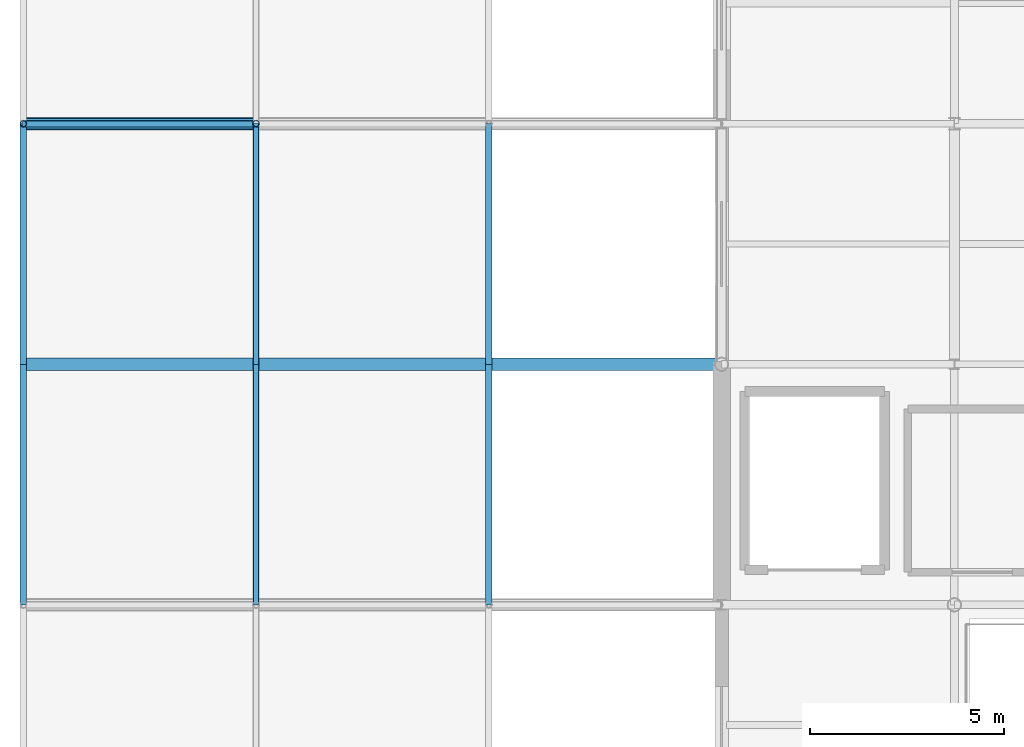
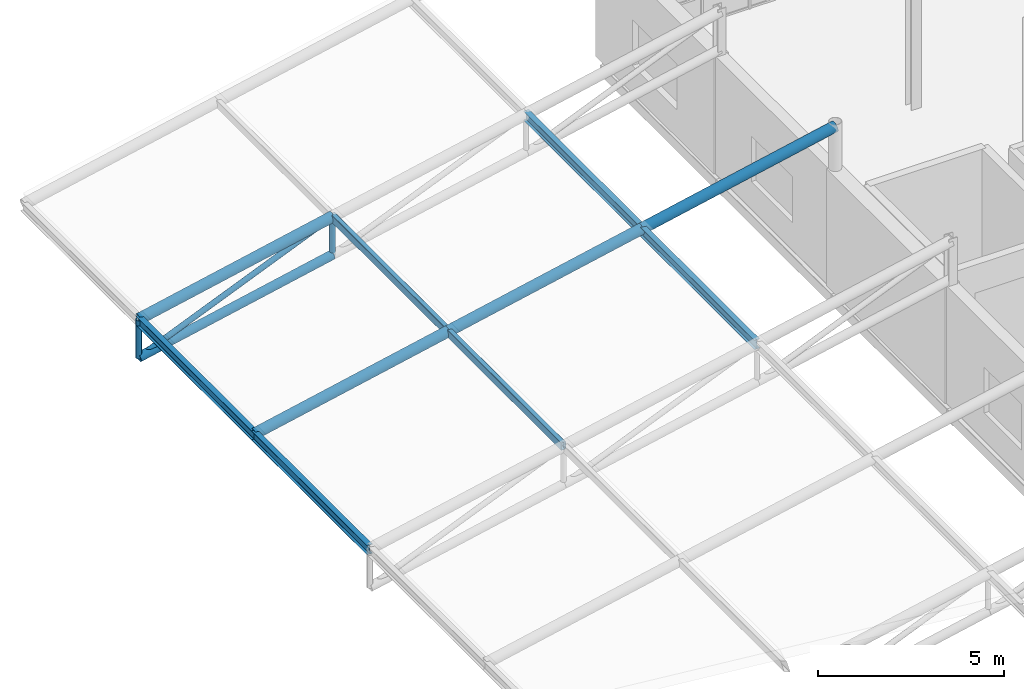
# One storey, part 27 of 84: 14 members.
"""IFC4 building model written with IfcOpenShell, lengths in metres."""

from ifc_helpers import new_model, si_unit, direction, frame, origin, origin_2d, place, context, subcontext, project, spatial, hollow_rectangle, hollow_circle, i_section, extrude, material, material_profile, profile_set, type_object, element, save


model = new_model("IFC4")

# Units and contexts
model_context = context("Model", 3, precision=1e-05, world=origin(), true_north=direction((0.0, 1.0)))
body_context = subcontext(model_context, "Body", "Model", "MODEL_VIEW")
ifc_project = project(units=[si_unit("LENGTHUNIT", "METRE"), si_unit("AREAUNIT", "SQUARE_METRE"), si_unit("VOLUMEUNIT", "CUBIC_METRE"), si_unit("PLANEANGLEUNIT", "RADIAN"), si_unit("MASSUNIT", "GRAM", prefix="KILO")], contexts=[model_context])

# Site, building, storey
site_placement = place(None, origin())
site = spatial("IfcSite", under=ifc_project, at=site_placement, CompositionType="ELEMENT")
building_placement = place(site_placement, origin())
building = spatial("IfcBuilding", under=site, at=building_placement, Name="Mirzam Square Science Centre", CompositionType="ELEMENT")
storey_placement = place(building_placement, frame((0.0, 0.0, 10.800048828125)))
storey = spatial("IfcBuildingStorey", under=building, at=storey_placement, Name="L02", CompositionType="ELEMENT", Elevation=10.800048828125)

# Members
ifc_material = material(Name="Steel S355", Category="steel")
ifc_material_profile_1 = material_profile(ifc_material, hollow_circle(Radius=0.084228515625, WallThickness=0.008056640625, at=origin_2d()), Name="168.3x8.0CHS")
ifc_profile_set_1 = profile_set([ifc_material_profile_1], Name="Steel S355")
member_type_1 = type_object("IfcMemberType", Name="BR-CHS168", PredefinedType="BRACE", material=ifc_profile_set_1)
member_1_placement = place(storey_placement, frame((0.0, 74.39990234375, 0.174560546875), z_axis=(0.922529582988, 0.0, 0.385926377063), x_axis=(0.0, 1.0, 0.0)))
element("IfcMember", 1, at=member_1_placement, inside=storey, type_object=member_type_1, Name="Wedge truss web diagonal Y13 bay 1", PredefinedType="BRACE", context=body_context, shape_type="SweptSolid", body=[
    extrude(hollow_circle(Radius=0.084228515625, WallThickness=0.008056640625, at=origin_2d()), origin(), (0.0, 0.0, 1.0), 6.50390625),
])
for number, where, z_axis, x_axis, name in (
    (2, (0.0, 74.39990234375, 0.174560546875), (0.0, 0.0, 1.0), (1.0, 0.0, 0.0), "Wedge truss post Y13 bay 1"),
    (3, (6.0, 74.39990234375, 1.4345703125), (0.0, 0.0, 1.0), (1.0, 0.0, 0.0), "Wedge truss post Y13 bay 2"),
):
    element("IfcMember", number, at=place(storey_placement, frame(where, z_axis=z_axis, x_axis=x_axis)), inside=storey, type_object=member_type_1, Name=name, PredefinedType="BRACE", context=body_context, shape_type="SweptSolid", body=[
        extrude(hollow_circle(Radius=0.084228515625, WallThickness=0.008056640625, at=origin_2d()), origin(), (0.0, 0.0, 1.0), 1.25),
    ])
ifc_material_profile_2 = material_profile(ifc_material, hollow_circle(Radius=0.136474609375, WallThickness=0.010009765625, at=origin_2d()), Name="273.0x10.0CHS")
ifc_profile_set_2 = profile_set([ifc_material_profile_2], Name="Steel S355")
member_type_2 = type_object("IfcMemberType", Name="CH-CHS273", PredefinedType="CHORD", material=ifc_profile_set_2)
member_2_placement = place(storey_placement, frame((0.0, 74.39990234375, 0.174560546875), z_axis=(0.978653176229, 0.0, 0.205518759868), x_axis=(0.0, 1.0, 0.0)))
element("IfcMember", 4, at=member_2_placement, inside=storey, type_object=member_type_2, Name="Wedge truss bottom chord Y13 bay 1", PredefinedType="CHORD", context=body_context, shape_type="SweptSolid", body=[
    extrude(hollow_circle(Radius=0.136474609375, WallThickness=0.010009765625, at=origin_2d()), origin(), (0.0, 0.0, 1.0), 6.130859375),
])
ifc_material_profile_3 = material_profile(ifc_material, hollow_circle(Radius=0.161865234375, WallThickness=0.012451171875, at=origin_2d()), Name="323.9x12.5CHS")
ifc_profile_set_3 = profile_set([ifc_material_profile_3], Name="Steel S355")
member_type_3 = type_object("IfcMemberType", Name="CH-CHS324", PredefinedType="CHORD", material=ifc_profile_set_3)
for number, where, z_axis, x_axis, name in (
    (5, (0.0, 68.199951171875, 1.424560546875), (0.978653176229, 0.0, 0.205518759868), (0.0, 1.0, 0.0), "Wedge truss top chord Y12 bay 1"),
    (6, (6.0, 68.199951171875, 2.6845703125), (0.978661184912, 0.0, 0.205480619879), (0.0, 1.0, 0.0), "Wedge truss top chord Y12 bay 2"),
    (7, (12.0, 68.199951171875, 3.9443359375), (0.978653176229, 0.0, 0.205518759868), (0.0, 1.0, 0.0), "Wedge truss top chord Y12 bay 3"),
    (8, (0.0, 74.39990234375, 1.424560546875), (0.978653176229, 0.0, 0.205518759868), (0.0, 1.0, 0.0), "Wedge truss top chord Y13 bay 1"),
):
    element("IfcMember", number, at=place(storey_placement, frame(where, z_axis=z_axis, x_axis=x_axis)), inside=storey, type_object=member_type_3, Name=name, PredefinedType="CHORD", context=body_context, shape_type="SweptSolid", body=[
        extrude(hollow_circle(Radius=0.161865234375, WallThickness=0.012451171875, at=origin_2d()), origin(), (0.0, 0.0, 1.0), 6.130859375),
    ])
ifc_material_profile_4 = material_profile(ifc_material, hollow_rectangle(XDim=0.14990234375, YDim=0.25, WallThickness=0.010009765625, InnerFilletRadius=0.010009765625, OuterFilletRadius=0.02001953125, at=origin_2d()), Name="250x150x10.0RHS")
ifc_profile_set_4 = profile_set([ifc_material_profile_4], Name="Steel S355")
member_type_4 = type_object("IfcMemberType", Name="RF-RHS250", PredefinedType="RAFTER", material=ifc_profile_set_4)
for number, where, z_axis, x_axis, name in (
    (9, (6.0, 62.0, 2.687255859375), (0.0, 1.0, 0.0), (-1.0, 0.0, 0.0), "Wedge roof rafter X2-11"),
    (10, (6.0, 68.199951171875, 2.687255859375), (0.0, 1.0, 0.0), (-1.0, 0.0, 0.0), "Wedge roof rafter X2-12"),
):
    element("IfcMember", number, at=place(storey_placement, frame(where, z_axis=z_axis, x_axis=x_axis)), inside=storey, type_object=member_type_4, Name=name, PredefinedType="RAFTER", context=body_context, shape_type="SweptSolid", body=[
        extrude(hollow_rectangle(XDim=0.14990234375, YDim=0.25, WallThickness=0.010009765625, InnerFilletRadius=0.010009765625, OuterFilletRadius=0.02001953125, at=origin_2d()), origin(), (0.0, 0.0, 1.0), 6.199951171875),
    ])
ifc_material_profile_5 = material_profile(ifc_material, i_section(OverallWidth=0.165771484375, OverallDepth=0.306640625, WebThickness=0.006591796875, FlangeThickness=0.01171875, FilletRadius=0.0087890625, at=origin_2d()), Name="305x165x46UB")
ifc_profile_set_5 = profile_set([ifc_material_profile_5], Name="Steel S355")
member_type_5 = type_object("IfcMemberType", Name="RF-UB305", PredefinedType="RAFTER", material=ifc_profile_set_5)
for number, where, z_axis, x_axis, name in (
    (11, (0.0, 62.0, 1.3984375), (0.0, 1.0, 0.0), (-1.0, 0.0, 0.0), "Wedge roof rafter X1-11"),
    (12, (12.0, 62.0, 3.91845703125), (0.0, 1.0, 0.0), (-1.0, 0.0, 0.0), "Wedge roof rafter X3-11"),
    (13, (0.0, 68.199951171875, 1.3984375), (0.0, 1.0, 0.0), (-1.0, 0.0, 0.0), "Wedge roof rafter X1-12"),
    (14, (12.0, 68.199951171875, 3.91845703125), (0.0, 1.0, 0.0), (-1.0, 0.0, 0.0), "Wedge roof rafter X3-12"),
):
    element("IfcMember", number, at=place(storey_placement, frame(where, z_axis=z_axis, x_axis=x_axis)), inside=storey, type_object=member_type_5, Name=name, PredefinedType="RAFTER", context=body_context, shape_type="SweptSolid", body=[
        extrude(i_section(OverallWidth=0.165771484375, OverallDepth=0.306640625, WebThickness=0.006591796875, FlangeThickness=0.01171875, FilletRadius=0.0087890625, at=origin_2d()), origin(), (0.0, 0.0, 1.0), 6.199951171875),
    ])

save(model, "model.ifc")
